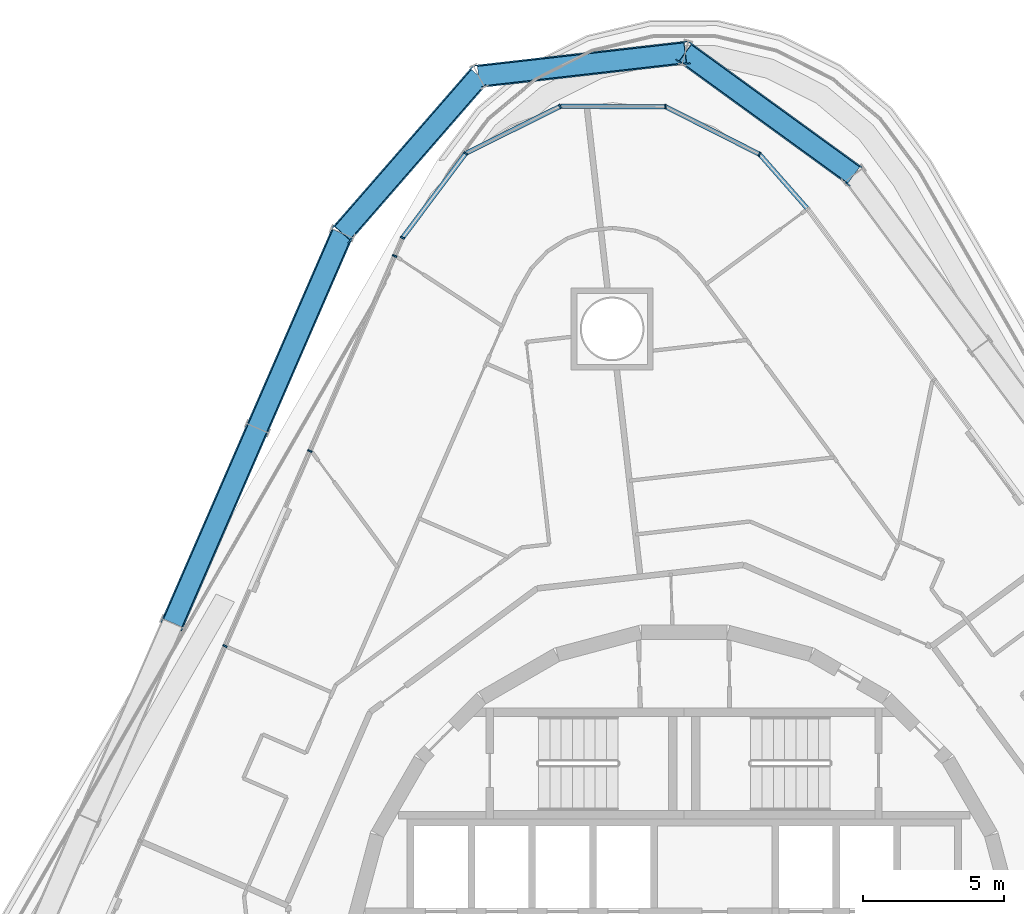
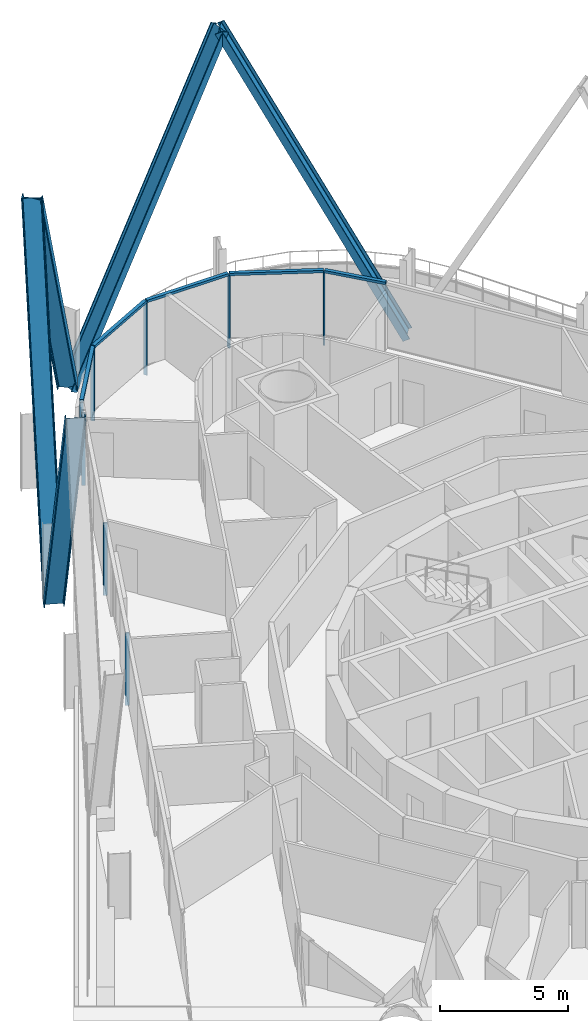
# One storey, part 9 of 32: 18 members, 2 elements without a shape of their own.
"""IFC4 building model written with IfcOpenShell, lengths in metres."""

from ifc_helpers import new_model, si_unit, direction, frame, origin, origin_2d, place, context, subcontext, project, spatial, rectangle, i_section, extrude, material, layer, layer_set, material_profile, profile_set, type_object, element, aggregate, save


model = new_model("IFC4")

# Units and contexts
model_context = context("Model", 3, precision=1e-05, world=origin(), true_north=direction((0.0, 1.0)))
body_context = subcontext(model_context, "Body", "Model", "MODEL_VIEW")
ifc_project = project(units=[si_unit("LENGTHUNIT", "METRE"), si_unit("AREAUNIT", "SQUARE_METRE"), si_unit("VOLUMEUNIT", "CUBIC_METRE"), si_unit("PLANEANGLEUNIT", "RADIAN"), si_unit("MASSUNIT", "GRAM", prefix="KILO")], contexts=[model_context])

# Site, building, storey
site_placement = place(None, origin())
site = spatial("IfcSite", under=ifc_project, at=site_placement, CompositionType="ELEMENT")
building_placement = place(site_placement, origin())
building = spatial("IfcBuilding", under=site, at=building_placement, Name="Spindle Arch Residences", CompositionType="ELEMENT")
storey_placement = place(building_placement, frame((0.0, 0.0, 76.699951171875)))
storey = spatial("IfcBuildingStorey", under=building, at=storey_placement, Name="L17", CompositionType="ELEMENT", Elevation=76.699951171875)

# Curtain wall, members
ifc_material_1 = material(Name="Aluminium bronze unitised frame with tinted glass", Category="aluminium")
ifc_layer_1 = layer(ifc_material_1, 0.159912109375)
ifc_layer_set_1 = layer_set([ifc_layer_1], Name="CW-D corner wall on the fillet arcs")
curtain_wall_type_1 = type_object("IfcCurtainWallType", Name="CW-D corner wall on the fillet arcs", PredefinedType="NOTDEFINED", material=ifc_layer_set_1)
curtain_wall_1_placement = place(storey_placement, origin())
curtain_wall_1 = element("IfcCurtainWall", 1, at=curtain_wall_1_placement, inside=storey, type_object=curtain_wall_type_1, Name="CW-D L17 run 3", PredefinedType="NOTDEFINED")
ifc_material_2 = material(Name="Aluminium bronze anodised mullion", Category="aluminium")
ifc_material_profile_1 = material_profile(ifc_material_2, rectangle(XDim=0.159912109375, YDim=0.06005859375, at=origin_2d()), Name="MU 60x160")
ifc_profile_set_1 = profile_set([ifc_material_profile_1], Name="Aluminium bronze anodised mullion")
member_type_1 = type_object("IfcMemberType", Name="Bronze mullion 60x160", PredefinedType="MULLION", material=ifc_profile_set_1)
member_1_placement = place(storey_placement, frame((2.662841796875, 28.544921875, -0.449951171875), z_axis=(0.0, 0.0, 1.0), x_axis=(-0.451396753797, -0.892323355439, 0.0)))
member_1 = element("IfcMember", 2, at=member_1_placement, type_object=member_type_1, Name="CW-D mullion 01", PredefinedType="MULLION", context=body_context, shape_type="SweptSolid", body=[
    extrude(rectangle(XDim=0.159912109375, YDim=0.06005859375, at=origin_2d()), origin(), (0.0, 0.0, 1.0), 3.449951171875),
])
member_2_placement = place(storey_placement, frame((-0.66259765625, 30.22705078125, -0.449951171875), z_axis=(0.0, 0.0, 1.0), x_axis=(-0.002908881551, -0.999995769195, 0.0)))
member_2 = element("IfcMember", 3, at=member_2_placement, type_object=member_type_1, Name="CW-D mullion 02", PredefinedType="MULLION", context=body_context, shape_type="SweptSolid", body=[
    extrude(rectangle(XDim=0.159912109375, YDim=0.06005859375, at=origin_2d()), origin(), (0.0, 0.0, 1.0), 3.449951171875),
])
member_3_placement = place(storey_placement, frame((-4.38916015625, 30.23779296875, -0.449951171875), z_axis=(0.0, 0.0, 1.0), x_axis=(0.446197812813, -0.89493436175, 0.0)))
member_3 = element("IfcMember", 4, at=member_3_placement, type_object=member_type_1, Name="CW-D mullion 03", PredefinedType="MULLION", context=body_context, shape_type="SweptSolid", body=[
    extrude(rectangle(XDim=0.159912109375, YDim=0.06005859375, at=origin_2d()), origin(), (0.0, 0.0, 1.0), 3.449951171875),
])
member_4_placement = place(storey_placement, frame((-7.724365234375, 28.574951171875, -0.449951171875), z_axis=(0.0, 0.0, 1.0), x_axis=(0.800382739909, -0.599489340736, 0.0)))
member_4 = element("IfcMember", 5, at=member_4_placement, type_object=member_type_1, Name="CW-D mullion 04", PredefinedType="MULLION", context=body_context, shape_type="SweptSolid", body=[
    extrude(rectangle(XDim=0.159912109375, YDim=0.06005859375, at=origin_2d()), origin(), (0.0, 0.0, 1.0), 3.449951171875),
])
member_5_placement = place(storey_placement, frame((-9.958740234375, 25.59228515625, -0.449951171875), z_axis=(0.0, 0.0, 1.0), x_axis=(0.917060074385, -0.398749068925, 0.0)))
member_5 = element("IfcMember", 6, at=member_5_placement, type_object=member_type_1, Name="CW-D mullion 05", PredefinedType="MULLION", context=body_context, shape_type="SweptSolid", body=[
    extrude(rectangle(XDim=0.159912109375, YDim=0.06005859375, at=origin_2d()), origin(), (0.0, 0.0, 1.0), 3.449951171875),
])

ifc_material_3 = material(Name="Aluminium bronze unitised frame with tinted glass", Category="aluminium")
ifc_layer_2 = layer(ifc_material_3, 0.159912109375)
ifc_layer_set_2 = layer_set([ifc_layer_2], Name="CW-C typical residential unitised wall")
curtain_wall_type_2 = type_object("IfcCurtainWallType", Name="CW-C typical residential unitised wall", PredefinedType="NOTDEFINED", material=ifc_layer_set_2)
curtain_wall_2_placement = place(storey_placement, origin())
curtain_wall_2 = element("IfcCurtainWall", 7, at=curtain_wall_2_placement, inside=storey, type_object=curtain_wall_type_2, Name="CW-C L17 run 4", PredefinedType="NOTDEFINED")
member_6_placement = place(storey_placement, frame((-10.23828125, 24.94873046875, -0.449951171875), z_axis=(0.0, 0.0, 1.0), x_axis=(0.917060074385, -0.398749068925, 0.0)))
member_6 = element("IfcMember", 8, at=member_6_placement, type_object=member_type_1, Name="CW-C mullion 13", PredefinedType="MULLION", context=body_context, shape_type="SweptSolid", body=[
    extrude(rectangle(XDim=0.159912109375, YDim=0.06005859375, at=origin_2d()), origin(), (0.0, 0.0, 1.0), 3.449951171875),
])
member_7_placement = place(storey_placement, frame((-13.236572265625, 18.0537109375, -0.449951171875), z_axis=(0.0, 0.0, 1.0), x_axis=(0.917060074385, -0.398749068925, 0.0)))
member_7 = element("IfcMember", 9, at=member_7_placement, type_object=member_type_1, Name="CW-C mullion 14", PredefinedType="MULLION", context=body_context, shape_type="SweptSolid", body=[
    extrude(rectangle(XDim=0.159912109375, YDim=0.06005859375, at=origin_2d()), origin(), (0.0, 0.0, 1.0), 3.449951171875),
])
member_8_placement = place(storey_placement, frame((-16.234619140625, 11.158447265625, -0.449951171875), z_axis=(0.0, 0.0, 1.0), x_axis=(0.917060074385, -0.398749068925, 0.0)))
member_8 = element("IfcMember", 10, at=member_8_placement, type_object=member_type_1, Name="CW-C mullion 15", PredefinedType="MULLION", context=body_context, shape_type="SweptSolid", body=[
    extrude(rectangle(XDim=0.159912109375, YDim=0.06005859375, at=origin_2d()), origin(), (0.0, 0.0, 1.0), 3.449951171875),
])
aggregate(curtain_wall_2, [member_6, member_7, member_8])

# Member
ifc_material_4 = material(Name="Aluminium bronze anodised transom", Category="aluminium")
ifc_material_profile_2 = material_profile(ifc_material_4, rectangle(XDim=0.159912109375, YDim=0.1201171875, at=origin_2d()), Name="TR 120x160")
ifc_profile_set_2 = profile_set([ifc_material_profile_2], Name="Aluminium bronze anodised transom")
member_type_2 = type_object("IfcMemberType", Name="Bronze transom 120x160", PredefinedType="USERDEFINED", material=ifc_profile_set_2)
member_9_placement = place(storey_placement, frame((4.34375, 26.635009765625, 3.06005859375), z_axis=(-0.660660732339, 0.750684618695, 0.0), x_axis=(-0.750684618695, -0.660660732339, 0.0)))
member_9 = element("IfcMember", 11, at=member_9_placement, type_object=member_type_2, Name="CW-D transom 00", ObjectType="TRANSOM", PredefinedType="USERDEFINED", context=body_context, shape_type="SweptSolid", body=[
    extrude(rectangle(XDim=0.159912109375, YDim=0.1201171875, at=origin_2d()), origin(), (0.0, 0.0, 1.0), 2.513916015625),
])

member_10_placement = place(storey_placement, frame((2.63623046875, 28.558349609375, 3.06005859375), z_axis=(-0.892313345479, 0.45141654099, 0.0), x_axis=(-0.45141654099, -0.892313345479, 0.0)))
member_10 = element("IfcMember", 12, at=member_10_placement, type_object=member_type_2, Name="CW-D transom 01", ObjectType="TRANSOM", PredefinedType="USERDEFINED", context=body_context, shape_type="SweptSolid", body=[
    extrude(rectangle(XDim=0.159912109375, YDim=0.1201171875, at=origin_2d()), origin(), (0.0, 0.0, 1.0), 3.666748046875),
])

member_11_placement = place(storey_placement, frame((-0.692626953125, 30.22705078125, 3.06005859375), z_axis=(-0.999995708684, 0.002929609906, 0.0), x_axis=(-0.002929609906, -0.999995708684, 0.0)))
member_11 = element("IfcMember", 13, at=member_11_placement, type_object=member_type_2, Name="CW-D transom 02", ObjectType="TRANSOM", PredefinedType="USERDEFINED", context=body_context, shape_type="SweptSolid", body=[
    extrude(rectangle(XDim=0.159912109375, YDim=0.1201171875, at=origin_2d()), origin(), (0.0, 0.0, 1.0), 3.666748046875),
])

member_12_placement = place(storey_placement, frame((-4.416015625, 30.224609375, 3.06005859375), z_axis=(-0.894919349856, -0.446227920745, 0.0), x_axis=(0.446227920745, -0.894919349856, 0.0)))
member_12 = element("IfcMember", 14, at=member_12_placement, type_object=member_type_2, Name="CW-D transom 03", ObjectType="TRANSOM", PredefinedType="USERDEFINED", context=body_context, shape_type="SweptSolid", body=[
    extrude(rectangle(XDim=0.159912109375, YDim=0.1201171875, at=origin_2d()), origin(), (0.0, 0.0, 1.0), 3.666748046875),
])

member_13_placement = place(storey_placement, frame((-7.742431640625, 28.551025390625, 3.06005859375), z_axis=(-0.599499190139, -0.800375362579, 0.0), x_axis=(0.800375362579, -0.599499190139, 0.0)))
member_13 = element("IfcMember", 15, at=member_13_placement, type_object=member_type_2, Name="CW-D transom 04", ObjectType="TRANSOM", PredefinedType="USERDEFINED", context=body_context, shape_type="SweptSolid", body=[
    extrude(rectangle(XDim=0.159912109375, YDim=0.1201171875, at=origin_2d()), origin(), (0.0, 0.0, 1.0), 3.666748046875),
])

aggregate(curtain_wall_1, [member_9, member_1, member_10, member_2, member_11, member_3, member_12, member_4, member_13, member_5])

# Members
ifc_material_5 = material(Name="Steel S460ML, intumescent coating R 240", Category="steel")
ifc_material_profile_3 = material_profile(ifc_material_5, i_section(OverallWidth=0.302978515625, OverallDepth=0.81396484375, WebThickness=0.02099609375, FlangeThickness=0.0400390625, FilletRadius=0.030029296875, at=origin_2d()), Name="HEM 800")
ifc_profile_set_3 = profile_set([ifc_material_profile_3], Name="Steel S460ML, intumescent coating R 240")
member_type_3 = type_object("IfcMemberType", Name="Diagrid diagonal HEM 800", PredefinedType="BRACE", material=ifc_profile_set_3)
member_14_placement = place(storey_placement, frame((5.987548828125, 27.814208984375, -0.699951171875), z_axis=(-0.374882187354, 0.272096374725, 0.886243142973), x_axis=(0.717232670872, -0.520580641496, 0.46322034879)))
element("IfcMember", 16, at=member_14_placement, inside=storey, type_object=member_type_3, Name="Diagrid diagonal 2.1.11", PredefinedType="BRACE", context=body_context, shape_type="SweptSolid", body=[
    extrude(i_section(OverallWidth=0.302978515625, OverallDepth=0.81396484375, WebThickness=0.02099609375, FlangeThickness=0.0400390625, FilletRadius=0.030029296875, at=origin_2d()), origin(), (0.0, 0.0, 1.0), 15.8759765625),
])
member_15_placement = place(storey_placement, frame((-7.263427734375, 31.302490234375, -0.699951171875), z_axis=(0.459870007458, 0.052388696415, 0.886439507653), x_axis=(-0.880742826921, -0.100334807295, 0.46284446553)))
element("IfcMember", 17, at=member_15_placement, inside=storey, type_object=member_type_3, Name="Diagrid diagonal 2.1.12", PredefinedType="BRACE", context=body_context, shape_type="SweptSolid", body=[
    extrude(i_section(OverallWidth=0.302978515625, OverallDepth=0.81396484375, WebThickness=0.02099609375, FlangeThickness=0.0400390625, FilletRadius=0.030029296875, at=origin_2d()), origin(), (0.0, 0.0, 1.0), 15.87255859375),
])
member_16_placement = place(storey_placement, frame((-7.263427734375, 31.302490234375, -0.699951171875), z_axis=(-0.304065833473, -0.349461187765, 0.886239723303), x_axis=(0.581734837018, 0.668584644275, 0.463226891317)))
element("IfcMember", 18, at=member_16_placement, inside=storey, type_object=member_type_3, Name="Diagrid diagonal 2.1.13", PredefinedType="BRACE", context=body_context, shape_type="SweptSolid", body=[
    extrude(i_section(OverallWidth=0.302978515625, OverallDepth=0.81396484375, WebThickness=0.02099609375, FlangeThickness=0.0400390625, FilletRadius=0.030029296875, at=origin_2d()), origin(), (0.0, 0.0, 1.0), 15.876220703125),
])
for number, where, z_axis, x_axis, name in (
    (19, (-15.0888671875, 18.859130859375, -0.699951171875), (0.187929397713, 0.432222311043, 0.881967355015), (-0.351673885572, -0.808821298878, 0.471310497112), "Diagrid diagonal 2.1.14"),
    (20, (-15.0888671875, 18.859130859375, -0.699951171875), (-0.187944160858, -0.43222106792, 0.881964818372), (0.351696958315, 0.808808500424, 0.471315243923), "Diagrid diagonal 2.1.15"),
):
    element("IfcMember", number, at=place(storey_placement, frame(where, z_axis=z_axis, x_axis=x_axis)), inside=storey, type_object=member_type_3, Name=name, PredefinedType="BRACE", context=body_context, shape_type="SweptSolid", body=[
        extrude(i_section(OverallWidth=0.302978515625, OverallDepth=0.81396484375, WebThickness=0.02099609375, FlangeThickness=0.0400390625, FilletRadius=0.030029296875, at=origin_2d()), origin(), (0.0, 0.0, 1.0), 15.953125),
    ])

save(model, "model.ifc")
